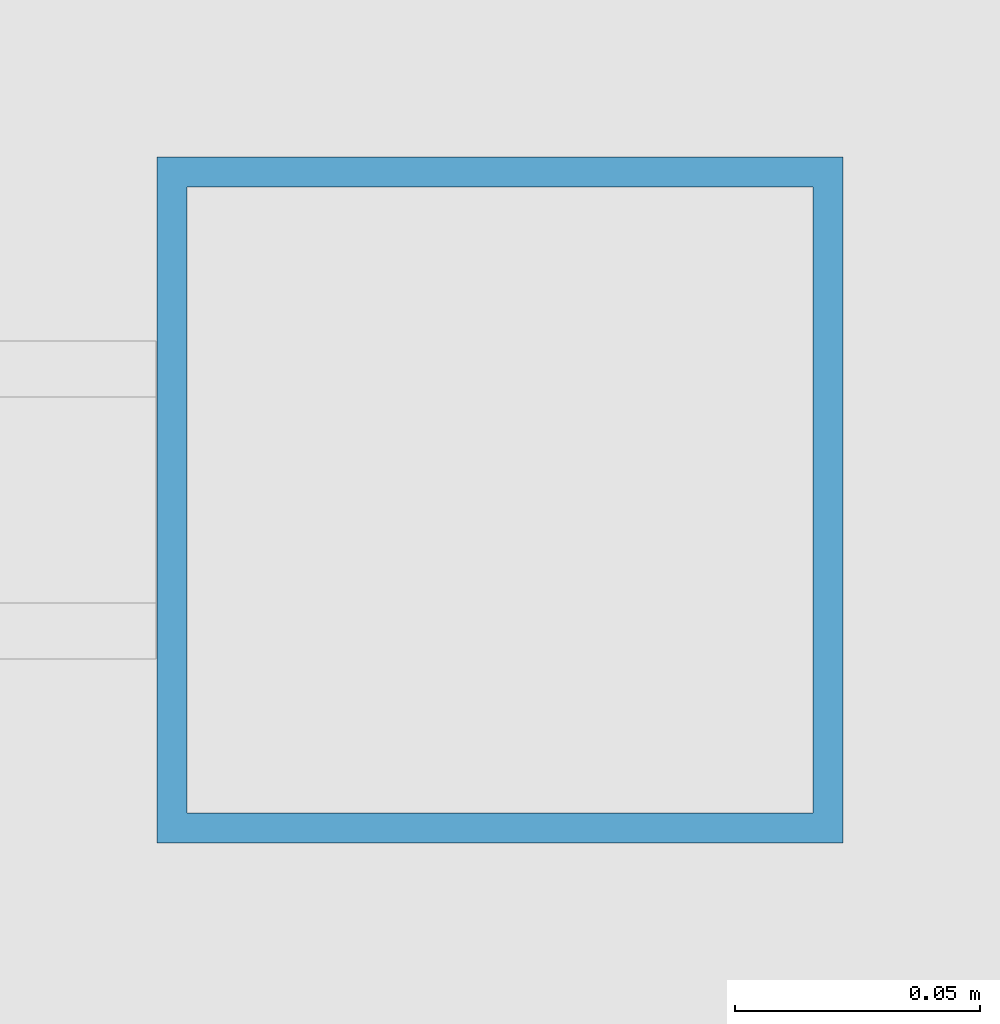
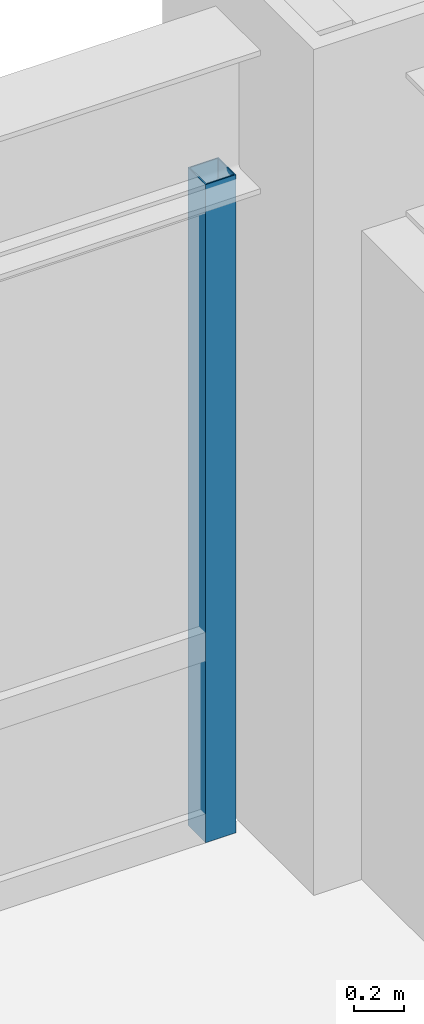
# One storey, part 21 of 27: 1 member, 1 element without a shape of its own.
"""IFC4 building model written with IfcOpenShell, lengths in metres."""

from ifc_helpers import new_model, si_unit, direction, frame, origin, origin_2d, place, context, subcontext, project, spatial, hollow_rectangle, extrude, source, transform, mapped, material, material_profile, profile_set, type_object, element, aggregate, save


model = new_model("IFC4")

# Units and contexts
model_context = context("Model", 3, precision=1e-05, world=origin(), true_north=direction((0.0, 1.0)))
body_context = subcontext(model_context, "Body", "Model", "MODEL_VIEW")
ifc_project = project(units=[si_unit("LENGTHUNIT", "METRE"), si_unit("AREAUNIT", "SQUARE_METRE"), si_unit("VOLUMEUNIT", "CUBIC_METRE"), si_unit("PLANEANGLEUNIT", "RADIAN"), si_unit("MASSUNIT", "GRAM", prefix="KILO")], contexts=[model_context])

# Site, building, storey
site_placement = place(None, origin())
site = spatial("IfcSite", under=ifc_project, at=site_placement, CompositionType="ELEMENT")
building_placement = place(site_placement, origin())
building = spatial("IfcBuilding", under=site, at=building_placement, Name="Khorayat Bourse Tower", CompositionType="ELEMENT")
storey_placement = place(building_placement, frame((0.0, 0.0, 107.800048828125)))
storey = spatial("IfcBuildingStorey", under=building, at=storey_placement, Name="L24", CompositionType="ELEMENT", Elevation=107.800048828125)

# Curtain wall, member
ifc_material = material(Name="Aluminium EN AW-6063 T6", Category="aluminium")
curtain_wall_type = type_object("IfcCurtainWallType", Name="CW-SYS-02", PredefinedType="NOTDEFINED", material=ifc_material)
curtain_wall_placement = place(storey_placement, origin())
curtain_wall = element("IfcCurtainWall", 1, at=curtain_wall_placement, inside=storey, type_object=curtain_wall_type, Name="L24 Curtain Wall CW-L24-N1", PredefinedType="NOTDEFINED")
ifc_material_profile = material_profile(ifc_material, hollow_rectangle(XDim=0.139892578125, YDim=0.139892578125, WallThickness=0.006103515625, at=origin_2d()), Name="ALU 140x140x6")
ifc_profile_set = profile_set([ifc_material_profile], Name="Aluminium EN AW-6063 T6")
member_type = type_object("IfcMemberType", Name="CWM-VERT-140", PredefinedType="MULLION", material=ifc_profile_set)
shared_shape = source(origin(), body_context, "Body", "SweptSolid", [
    extrude(hollow_rectangle(XDim=0.139892578125, YDim=0.139892578125, WallThickness=0.006103515625, at=origin_2d()), origin(), (0.0, 0.0, 1.0), 3.18994140625),
])
member_placement = place(storey_placement, frame((27.280029296875, 32.0, 0.0), z_axis=(0.0, 0.0, 1.0), x_axis=(0.0, 1.0, 0.0)))
member = element("IfcMember", 2, at=member_placement, type_object=member_type, Name="CW-L24-N1 Vertical Mullion 3", PredefinedType="MULLION", context=body_context, shape_type="MappedRepresentation", body=[
    mapped(shared_shape, transform((0.0, 0.0, 0.0), scale=1.0)),
])
aggregate(curtain_wall, [member])

save(model, "model.ifc")
